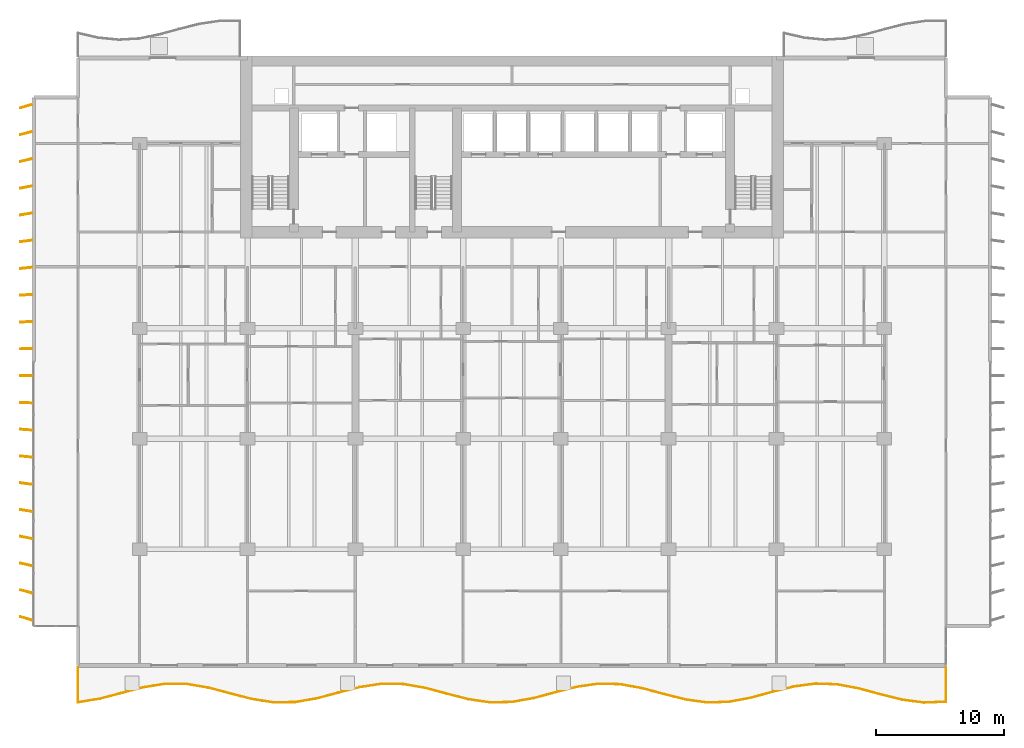
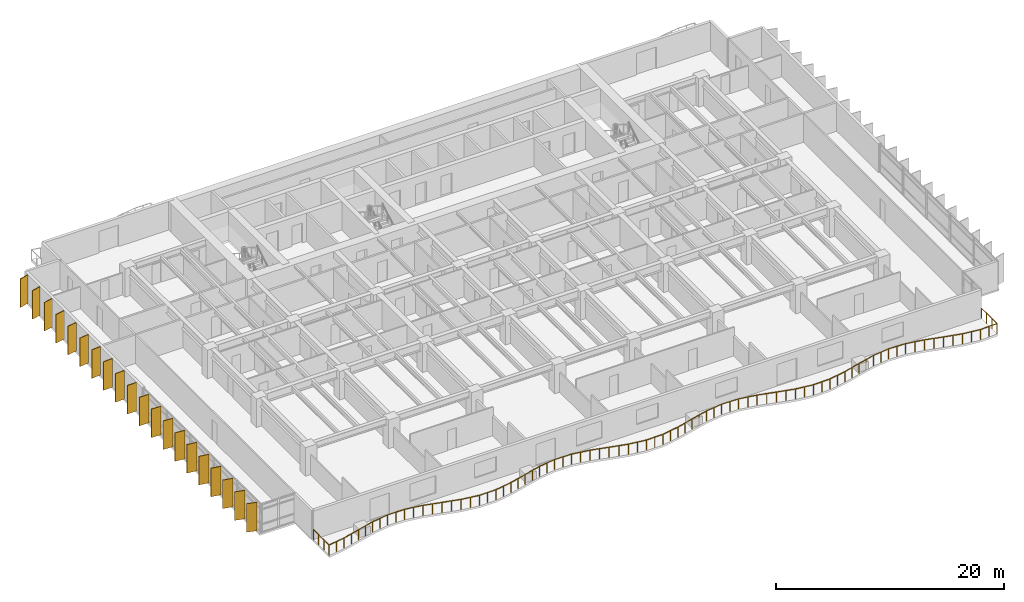
# One storey, part 13 of 16: 20 shading devices, 1 railing.
"""IFC4 building model written with IfcOpenShell, lengths in metres."""

from ifc_helpers import new_model, si_unit, direction, frame, origin, origin_2d, place, context, subcontext, project, spatial, rectangle, circle, extrude, material, material_profile, profile_set, type_object, element, save


model = new_model("IFC4")

# Units and contexts
model_context = context("Model", 3, precision=1e-05, world=origin(), true_north=direction((0.0, 1.0)))
body_context = subcontext(model_context, "Body", "Model", "MODEL_VIEW")
ifc_project = project(units=[si_unit("LENGTHUNIT", "METRE"), si_unit("AREAUNIT", "SQUARE_METRE"), si_unit("VOLUMEUNIT", "CUBIC_METRE"), si_unit("PLANEANGLEUNIT", "RADIAN"), si_unit("MASSUNIT", "GRAM", prefix="KILO")], contexts=[model_context])

# Site, building, storey
site_placement = place(None, origin())
site = spatial("IfcSite", under=ifc_project, at=site_placement, CompositionType="ELEMENT")
building_placement = place(site_placement, origin())
building = spatial("IfcBuilding", under=site, at=building_placement, Name="Caelmar Bay Residences", CompositionType="ELEMENT")
storey_placement = place(building_placement, frame((0.0, 0.0, 72.89990234375)))
storey = spatial("IfcBuildingStorey", under=building, at=storey_placement, Name="L19", CompositionType="ELEMENT", Elevation=72.89990234375)

# Railing
ifc_material_1 = material(Name="Anodised bronze handrail with laminated hurricane glass infill", Category="glass")
railing_type = type_object("IfcRailingType", Name="RL-BAL-1100", PredefinedType="BALUSTRADE", material=ifc_material_1)
railing_placement = place(storey_placement, frame((5.10009765625, 3.0, 0.0)))
element("IfcRailing", 1, at=railing_placement, inside=storey, type_object=railing_type, Name="L19 south Balcony Balustrade", PredefinedType="BALUSTRADE", context=body_context, shape_type="SweptSolid", body=[
    extrude(circle(Radius=0.02392578125, at=origin_2d()), frame((0.0, 0.0, 1.076171875), z_axis=(0.0, -1.0, 0.0), x_axis=(1.0, 0.0, 0.0)), (0.0, 0.0, 1.0), 2.7333984375),
    extrude(circle(Radius=0.02392578125, at=origin_2d()), frame((0.0, -2.7333984375, 1.076171875), z_axis=(0.987026195293, 0.160559303077, 0.0), x_axis=(-0.160559303077, 0.987026195293, 0.0)), (0.0, 0.0, 1.0), 1.712158203125),
    extrude(circle(Radius=0.02392578125, at=origin_2d()), frame((1.68994140625, -2.45849609375, 1.076171875), z_axis=(0.967163162883, 0.254156283341, 0.0), x_axis=(-0.254156283341, 0.967163162883, 0.0)), (0.0, 0.0, 1.0), 1.747314453125),
    extrude(circle(Radius=0.02392578125, at=origin_2d()), frame((3.3798828125, -2.014404296875, 1.076171875), z_axis=(0.967471654439, 0.252979441568, 0.0), x_axis=(-0.252979441568, 0.967471654439, 0.0)), (0.0, 0.0, 1.0), 1.746826171875),
    extrude(circle(Radius=0.02392578125, at=origin_2d()), frame((5.06982421875, -1.572509765625, 1.076171875), z_axis=(0.987544565194, 0.157339542887, 0.0), x_axis=(-0.157339542887, 0.987544565194, 0.0)), (0.0, 0.0, 1.0), 1.71142578125),
    extrude(circle(Radius=0.02392578125, at=origin_2d()), frame((6.760009765625, -1.30322265625, 1.076171875), z_axis=(0.999988636103, -0.004767354087, 0.0), x_axis=(0.004767354087, 0.999988636103, 0.0)), (0.0, 0.0, 1.0), 1.68994140625),
    extrude(circle(Radius=0.02392578125, at=origin_2d()), frame((8.449951171875, -1.311279296875, 1.076171875), z_axis=(0.986386220037, -0.164445203398, 0.0), x_axis=(0.164445203398, 0.986386220037, 0.0)), (0.0, 0.0, 1.0), 1.71337890625),
    extrude(circle(Radius=0.02392578125, at=origin_2d()), frame((10.139892578125, -1.593017578125, 1.076171875), z_axis=(0.966818948521, -0.255462562387, 0.0), x_axis=(0.255462562387, 0.966818948521, 0.0)), (0.0, 0.0, 1.0), 1.748046875),
    extrude(circle(Radius=0.02392578125, at=origin_2d()), frame((11.829833984375, -2.03955078125, 1.076171875), z_axis=(0.967855864516, -0.251505517877, 0.0), x_axis=(0.251505517877, 0.967855864516, 0.0)), (0.0, 0.0, 1.0), 1.746337890625),
    extrude(circle(Radius=0.02392578125, at=origin_2d()), frame((13.52001953125, -2.478759765625, 1.076171875), z_axis=(0.988197761008, -0.153183501526, 0.0), x_axis=(0.153183501526, 0.988197761008, 0.0)), (0.0, 0.0, 1.0), 1.710205078125),
    extrude(circle(Radius=0.02392578125, at=origin_2d()), frame((15.2099609375, -2.74072265625, 1.076171875), z_axis=(0.999951750457, 0.00982327637, 0.0), x_axis=(-0.00982327637, 0.999951750457, 0.0)), (0.0, 0.0, 1.0), 1.68994140625),
    extrude(circle(Radius=0.02392578125, at=origin_2d()), frame((16.89990234375, -2.72412109375, 1.076171875), z_axis=(0.985731815478, 0.168323462279, 0.0), x_axis=(-0.168323462279, 0.985731815478, 0.0)), (0.0, 0.0, 1.0), 1.71435546875),
    extrude(circle(Radius=0.02392578125, at=origin_2d()), frame((18.58984375, -2.435546875, 1.076171875), z_axis=(0.966438560958, 0.256897854979, 0.0), x_axis=(-0.256897854979, 0.966438560958, 0.0)), (0.0, 0.0, 1.0), 1.74853515625),
    extrude(circle(Radius=0.02392578125, at=origin_2d()), frame((20.27978515625, -1.986328125, 1.076171875), z_axis=(0.968296970277, 0.249801876197, 0.0), x_axis=(-0.249801876197, 0.968296970277, 0.0)), (0.0, 0.0, 1.0), 1.74560546875),
    extrude(circle(Radius=0.02392578125, at=origin_2d()), frame((21.969970703125, -1.55029296875, 1.076171875), z_axis=(0.988837638732, 0.148997061138, 0.0), x_axis=(-0.148997061138, 0.988837638732, 0.0)), (0.0, 0.0, 1.0), 1.708984375),
    extrude(circle(Radius=0.02392578125, at=origin_2d()), frame((23.659912109375, -1.295654296875, 1.076171875), z_axis=(0.999889309805, -0.014878445378, 0.0), x_axis=(0.014878445378, 0.999889309805, 0.0)), (0.0, 0.0, 1.0), 1.690185546875),
    extrude(circle(Radius=0.02392578125, at=origin_2d()), frame((25.349853515625, -1.32080078125, 1.076171875), z_axis=(0.985063070992, -0.17219392024, 0.0), x_axis=(0.17219392024, 0.985063070992, 0.0)), (0.0, 0.0, 1.0), 1.715576171875),
    extrude(circle(Radius=0.02392578125, at=origin_2d()), frame((27.039794921875, -1.6162109375, 1.076171875), z_axis=(0.966135268407, -0.258036127587, 0.0), x_axis=(0.258036127587, 0.966135268407, 0.0)), (0.0, 0.0, 1.0), 1.74951171875),
    extrude(circle(Radius=0.02392578125, at=origin_2d()), frame((28.72998046875, -2.067626953125, 1.076171875), z_axis=(0.968693212149, -0.248260872342, 0.0), x_axis=(0.248260872342, 0.968693212149, 0.0)), (0.0, 0.0, 1.0), 1.74462890625),
    extrude(circle(Radius=0.02392578125, at=origin_2d()), frame((30.419921875, -2.500732421875, 1.076171875), z_axis=(0.989481035696, -0.144662642029, 0.0), x_axis=(0.144662642029, 0.989481035696, 0.0)), (0.0, 0.0, 1.0), 1.7080078125),
    extrude(circle(Radius=0.02392578125, at=origin_2d()), frame((32.10986328125, -2.747802734375, 1.076171875), z_axis=(0.99980132851, 0.019932473755, 0.0), x_axis=(-0.019932473755, 0.99980132851, 0.0)), (0.0, 0.0, 1.0), 1.690185546875),
    extrude(circle(Radius=0.02392578125, at=origin_2d()), frame((33.7998046875, -2.714111328125, 1.076171875), z_axis=(0.984384484589, 0.176031776964, 0.0), x_axis=(-0.176031776964, 0.984384484589, 0.0)), (0.0, 0.0, 1.0), 1.717041015625),
    extrude(circle(Radius=0.02392578125, at=origin_2d()), frame((35.489990234375, -2.411865234375, 1.076171875), z_axis=(0.965847095879, 0.259112692437, 0.0), x_axis=(-0.259112692437, 0.965847095879, 0.0)), (0.0, 0.0, 1.0), 1.749755859375),
    extrude(circle(Radius=0.02392578125, at=origin_2d()), frame((37.179931640625, -1.95849609375, 1.076171875), z_axis=(0.969162863866, 0.246421069114, 0.0), x_axis=(-0.246421069114, 0.969162863866, 0.0)), (0.0, 0.0, 1.0), 1.74365234375),
    extrude(circle(Radius=0.02392578125, at=origin_2d()), frame((38.869873046875, -1.52880859375, 1.076171875), z_axis=(0.990066439331, 0.140600304805, 0.0), x_axis=(-0.140600304805, 0.990066439331, 0.0)), (0.0, 0.0, 1.0), 1.706787109375),
    extrude(circle(Radius=0.02392578125, at=origin_2d()), frame((40.559814453125, -1.288818359375, 1.076171875), z_axis=(0.999680662905, -0.025269986423, 0.0), x_axis=(0.025269986423, 0.999680662905, 0.0)), (0.0, 0.0, 1.0), 1.690673828125),
    extrude(circle(Radius=0.02392578125, at=origin_2d()), frame((42.25, -1.33154296875, 1.076171875), z_axis=(0.983733191726, -0.179635763413, 0.0), x_axis=(0.179635763413, 0.983733191726, 0.0)), (0.0, 0.0, 1.0), 1.7177734375),
    extrude(circle(Radius=0.02392578125, at=origin_2d()), frame((43.93994140625, -1.64013671875, 1.076171875), z_axis=(0.965532208633, -0.260283603194, 0.0), x_axis=(0.260283603194, 0.965532208633, 0.0)), (0.0, 0.0, 1.0), 1.750244140625),
    extrude(circle(Radius=0.02392578125, at=origin_2d()), frame((45.6298828125, -2.095703125, 1.076171875), z_axis=(0.969662682279, -0.244446891155, 0.0), x_axis=(0.244446891155, 0.969662682279, 0.0)), (0.0, 0.0, 1.0), 1.742919921875),
    extrude(circle(Radius=0.02392578125, at=origin_2d()), frame((47.31982421875, -2.521728515625, 1.076171875), z_axis=(0.990677150051, -0.13623062933, 0.0), x_axis=(0.13623062933, 0.990677150051, 0.0)), (0.0, 0.0, 1.0), 1.7060546875),
    extrude(circle(Radius=0.02392578125, at=origin_2d()), frame((49.010009765625, -2.754150390625, 1.076171875), z_axis=(0.999540118713, 0.030324100683, 0.0), x_axis=(-0.030324100683, 0.999540118713, 0.0)), (0.0, 0.0, 1.0), 1.690673828125),
    extrude(circle(Radius=0.02392578125, at=origin_2d()), frame((50.699951171875, -2.702880859375, 1.076171875), z_axis=(0.983048586958, 0.183345236314, 0.0), x_axis=(-0.183345236314, 0.983048586958, 0.0)), (0.0, 0.0, 1.0), 1.718994140625),
    extrude(circle(Radius=0.02392578125, at=origin_2d()), frame((52.389892578125, -2.3876953125, 1.076171875), z_axis=(0.965286457921, 0.261193518591, 0.0), x_axis=(-0.261193518591, 0.965286457921, 0.0)), (0.0, 0.0, 1.0), 1.750732421875),
    extrude(circle(Radius=0.02392578125, at=origin_2d()), frame((54.079833984375, -1.930419921875, 1.076171875), z_axis=(0.970134256523, 0.242568597146, 0.0), x_axis=(-0.242568597146, 0.970134256523, 0.0)), (0.0, 0.0, 1.0), 1.7421875),
    extrude(circle(Radius=0.02392578125, at=origin_2d()), frame((55.77001953125, -1.5078125, 1.076171875), z_axis=(0.991282846485, 0.131750970639, 0.0), x_axis=(-0.131750970639, 0.991282846485, 0.0)), (0.0, 0.0, 1.0), 1.704833984375),
    extrude(circle(Radius=0.02392578125, at=origin_2d()), frame((57.4599609375, -1.283203125, 1.076171875), z_axis=(0.99937420633, -0.035372245095, 0.0), x_axis=(0.035372245095, 0.99937420633, 0.0)), (0.0, 0.0, 1.0), 1.69091796875),
    extrude(circle(Radius=0.02392578125, at=origin_2d()), frame((59.14990234375, -1.343017578125, 1.076171875), z_axis=(0.98237705372, -0.186909936398, 0.0), x_axis=(0.186909936398, 0.98237705372, 0.0)), (0.0, 0.0, 1.0), 1.72021484375),
    extrude(circle(Radius=0.02392578125, at=origin_2d()), frame((60.83984375, -1.66455078125, 1.076171875), z_axis=(0.965039975648, -0.262102738257, 0.0), x_axis=(0.262102738257, 0.965039975648, 0.0)), (0.0, 0.0, 1.0), 1.751220703125),
    extrude(circle(Radius=0.02392578125, at=origin_2d()), frame((62.52978515625, -2.12353515625, 1.076171875), z_axis=(0.970659868136, -0.240456691298, 0.0), x_axis=(0.240456691298, 0.970659868136, 0.0)), (0.0, 0.0, 1.0), 1.7412109375),
    extrude(circle(Radius=0.02392578125, at=origin_2d()), frame((64.219970703125, -2.542236328125, 1.076171875), z_axis=(0.991835257497, -0.127525769889, 0.0), x_axis=(0.127525769889, 0.991835257497, 0.0)), (0.0, 0.0, 1.0), 1.703857421875),
    extrude(circle(Radius=0.02392578125, at=origin_2d()), frame((65.909912109375, -2.759521484375, 1.076171875), z_axis=(0.999177031749, 0.040561795135, 0.0), x_axis=(-0.040561795135, 0.999177031749, 0.0)), (0.0, 0.0, 1.0), 1.69140625),
    extrude(circle(Radius=0.02392578125, at=origin_2d()), frame((67.599853515625, -2.69091796875, 1.076171875), z_axis=(0.0, 1.0, 0.0), x_axis=(-1.0, 0.0, 0.0)), (0.0, 0.0, 1.0), 2.69091796875),
    extrude(circle(Radius=0.02099609375, at=origin_2d()), origin(), (0.0, 0.0, 1.0), 1.052001953125),
    extrude(circle(Radius=0.02099609375, at=origin_2d()), frame((0.0, -0.9111328125, 0.0)), (0.0, 0.0, 1.0), 1.052001953125),
    extrude(circle(Radius=0.02099609375, at=origin_2d()), frame((0.0, -1.822265625, 0.0)), (0.0, 0.0, 1.0), 1.052001953125),
    extrude(circle(Radius=0.02099609375, at=origin_2d()), frame((0.0, -2.7333984375, 0.0)), (0.0, 0.0, 1.0), 1.052001953125),
    extrude(circle(Radius=0.02099609375, at=origin_2d()), frame((0.844970703125, -2.595947265625, 0.0)), (0.0, 0.0, 1.0), 1.052001953125),
    extrude(circle(Radius=0.02099609375, at=origin_2d()), frame((1.68994140625, -2.45849609375, 0.0)), (0.0, 0.0, 1.0), 1.052001953125),
    extrude(circle(Radius=0.02099609375, at=origin_2d()), frame((2.534912109375, -2.236328125, 0.0)), (0.0, 0.0, 1.0), 1.052001953125),
    extrude(circle(Radius=0.02099609375, at=origin_2d()), frame((3.3798828125, -2.014404296875, 0.0)), (0.0, 0.0, 1.0), 1.052001953125),
    extrude(circle(Radius=0.02099609375, at=origin_2d()), frame((4.224853515625, -1.79345703125, 0.0)), (0.0, 0.0, 1.0), 1.052001953125),
    extrude(circle(Radius=0.02099609375, at=origin_2d()), frame((5.06982421875, -1.572509765625, 0.0)), (0.0, 0.0, 1.0), 1.052001953125),
    extrude(circle(Radius=0.02099609375, at=origin_2d()), frame((5.9150390625, -1.43798828125, 0.0)), (0.0, 0.0, 1.0), 1.052001953125),
    extrude(circle(Radius=0.02099609375, at=origin_2d()), frame((6.760009765625, -1.30322265625, 0.0)), (0.0, 0.0, 1.0), 1.052001953125),
    extrude(circle(Radius=0.02099609375, at=origin_2d()), frame((7.60498046875, -1.30712890625, 0.0)), (0.0, 0.0, 1.0), 1.052001953125),
    extrude(circle(Radius=0.02099609375, at=origin_2d()), frame((8.449951171875, -1.311279296875, 0.0)), (0.0, 0.0, 1.0), 1.052001953125),
    extrude(circle(Radius=0.02099609375, at=origin_2d()), frame((9.294921875, -1.4521484375, 0.0)), (0.0, 0.0, 1.0), 1.052001953125),
    extrude(circle(Radius=0.02099609375, at=origin_2d()), frame((10.139892578125, -1.593017578125, 0.0)), (0.0, 0.0, 1.0), 1.052001953125),
    extrude(circle(Radius=0.02099609375, at=origin_2d()), frame((10.98486328125, -1.81640625, 0.0)), (0.0, 0.0, 1.0), 1.052001953125),
    extrude(circle(Radius=0.02099609375, at=origin_2d()), frame((11.829833984375, -2.03955078125, 0.0)), (0.0, 0.0, 1.0), 1.052001953125),
    extrude(circle(Radius=0.02099609375, at=origin_2d()), frame((12.6748046875, -2.25927734375, 0.0)), (0.0, 0.0, 1.0), 1.052001953125),
    extrude(circle(Radius=0.02099609375, at=origin_2d()), frame((13.52001953125, -2.478759765625, 0.0)), (0.0, 0.0, 1.0), 1.052001953125),
    extrude(circle(Radius=0.02099609375, at=origin_2d()), frame((14.364990234375, -2.60986328125, 0.0)), (0.0, 0.0, 1.0), 1.052001953125),
    extrude(circle(Radius=0.02099609375, at=origin_2d()), frame((15.2099609375, -2.74072265625, 0.0)), (0.0, 0.0, 1.0), 1.052001953125),
    extrude(circle(Radius=0.02099609375, at=origin_2d()), frame((16.054931640625, -2.732421875, 0.0)), (0.0, 0.0, 1.0), 1.052001953125),
    extrude(circle(Radius=0.02099609375, at=origin_2d()), frame((16.89990234375, -2.72412109375, 0.0)), (0.0, 0.0, 1.0), 1.052001953125),
    extrude(circle(Radius=0.02099609375, at=origin_2d()), frame((17.744873046875, -2.579833984375, 0.0)), (0.0, 0.0, 1.0), 1.052001953125),
    extrude(circle(Radius=0.02099609375, at=origin_2d()), frame((18.58984375, -2.435546875, 0.0)), (0.0, 0.0, 1.0), 1.052001953125),
    extrude(circle(Radius=0.02099609375, at=origin_2d()), frame((19.434814453125, -2.2109375, 0.0)), (0.0, 0.0, 1.0), 1.052001953125),
    extrude(circle(Radius=0.02099609375, at=origin_2d()), frame((20.27978515625, -1.986328125, 0.0)), (0.0, 0.0, 1.0), 1.052001953125),
    extrude(circle(Radius=0.02099609375, at=origin_2d()), frame((21.125, -1.768310546875, 0.0)), (0.0, 0.0, 1.0), 1.052001953125),
    extrude(circle(Radius=0.02099609375, at=origin_2d()), frame((21.969970703125, -1.55029296875, 0.0)), (0.0, 0.0, 1.0), 1.052001953125),
    extrude(circle(Radius=0.02099609375, at=origin_2d()), frame((22.81494140625, -1.4228515625, 0.0)), (0.0, 0.0, 1.0), 1.052001953125),
    extrude(circle(Radius=0.02099609375, at=origin_2d()), frame((23.659912109375, -1.295654296875, 0.0)), (0.0, 0.0, 1.0), 1.052001953125),
    extrude(circle(Radius=0.02099609375, at=origin_2d()), frame((24.5048828125, -1.30810546875, 0.0)), (0.0, 0.0, 1.0), 1.052001953125),
    extrude(circle(Radius=0.02099609375, at=origin_2d()), frame((25.349853515625, -1.32080078125, 0.0)), (0.0, 0.0, 1.0), 1.052001953125),
    extrude(circle(Radius=0.02099609375, at=origin_2d()), frame((26.19482421875, -1.468505859375, 0.0)), (0.0, 0.0, 1.0), 1.052001953125),
    extrude(circle(Radius=0.02099609375, at=origin_2d()), frame((27.039794921875, -1.6162109375, 0.0)), (0.0, 0.0, 1.0), 1.052001953125),
    extrude(circle(Radius=0.02099609375, at=origin_2d()), frame((27.884765625, -1.841796875, 0.0)), (0.0, 0.0, 1.0), 1.052001953125),
    extrude(circle(Radius=0.02099609375, at=origin_2d()), frame((28.72998046875, -2.067626953125, 0.0)), (0.0, 0.0, 1.0), 1.052001953125),
    extrude(circle(Radius=0.02099609375, at=origin_2d()), frame((29.574951171875, -2.2841796875, 0.0)), (0.0, 0.0, 1.0), 1.052001953125),
    extrude(circle(Radius=0.02099609375, at=origin_2d()), frame((30.419921875, -2.500732421875, 0.0)), (0.0, 0.0, 1.0), 1.052001953125),
    extrude(circle(Radius=0.02099609375, at=origin_2d()), frame((31.264892578125, -2.624267578125, 0.0)), (0.0, 0.0, 1.0), 1.052001953125),
    extrude(circle(Radius=0.02099609375, at=origin_2d()), frame((32.10986328125, -2.747802734375, 0.0)), (0.0, 0.0, 1.0), 1.052001953125),
    extrude(circle(Radius=0.02099609375, at=origin_2d()), frame((32.954833984375, -2.73095703125, 0.0)), (0.0, 0.0, 1.0), 1.052001953125),
    extrude(circle(Radius=0.02099609375, at=origin_2d()), frame((33.7998046875, -2.714111328125, 0.0)), (0.0, 0.0, 1.0), 1.052001953125),
    extrude(circle(Radius=0.02099609375, at=origin_2d()), frame((34.64501953125, -2.56298828125, 0.0)), (0.0, 0.0, 1.0), 1.052001953125),
    extrude(circle(Radius=0.02099609375, at=origin_2d()), frame((35.489990234375, -2.411865234375, 0.0)), (0.0, 0.0, 1.0), 1.052001953125),
    extrude(circle(Radius=0.02099609375, at=origin_2d()), frame((36.3349609375, -2.18505859375, 0.0)), (0.0, 0.0, 1.0), 1.052001953125),
    extrude(circle(Radius=0.02099609375, at=origin_2d()), frame((37.179931640625, -1.95849609375, 0.0)), (0.0, 0.0, 1.0), 1.052001953125),
    extrude(circle(Radius=0.02099609375, at=origin_2d()), frame((38.02490234375, -1.74365234375, 0.0)), (0.0, 0.0, 1.0), 1.052001953125),
    extrude(circle(Radius=0.02099609375, at=origin_2d()), frame((38.869873046875, -1.52880859375, 0.0)), (0.0, 0.0, 1.0), 1.052001953125),
    extrude(circle(Radius=0.02099609375, at=origin_2d()), frame((39.71484375, -1.40869140625, 0.0)), (0.0, 0.0, 1.0), 1.052001953125),
    extrude(circle(Radius=0.02099609375, at=origin_2d()), frame((40.559814453125, -1.288818359375, 0.0)), (0.0, 0.0, 1.0), 1.052001953125),
    extrude(circle(Radius=0.02099609375, at=origin_2d()), frame((41.40478515625, -1.31005859375, 0.0)), (0.0, 0.0, 1.0), 1.052001953125),
    extrude(circle(Radius=0.02099609375, at=origin_2d()), frame((42.25, -1.33154296875, 0.0)), (0.0, 0.0, 1.0), 1.052001953125),
    extrude(circle(Radius=0.02099609375, at=origin_2d()), frame((43.094970703125, -1.48583984375, 0.0)), (0.0, 0.0, 1.0), 1.052001953125),
    extrude(circle(Radius=0.02099609375, at=origin_2d()), frame((43.93994140625, -1.64013671875, 0.0)), (0.0, 0.0, 1.0), 1.052001953125),
    extrude(circle(Radius=0.02099609375, at=origin_2d()), frame((44.784912109375, -1.867919921875, 0.0)), (0.0, 0.0, 1.0), 1.052001953125),
    extrude(circle(Radius=0.02099609375, at=origin_2d()), frame((45.6298828125, -2.095703125, 0.0)), (0.0, 0.0, 1.0), 1.052001953125),
    extrude(circle(Radius=0.02099609375, at=origin_2d()), frame((46.474853515625, -2.30859375, 0.0)), (0.0, 0.0, 1.0), 1.052001953125),
    extrude(circle(Radius=0.02099609375, at=origin_2d()), frame((47.31982421875, -2.521728515625, 0.0)), (0.0, 0.0, 1.0), 1.052001953125),
    extrude(circle(Radius=0.02099609375, at=origin_2d()), frame((48.1650390625, -2.637939453125, 0.0)), (0.0, 0.0, 1.0), 1.052001953125),
    extrude(circle(Radius=0.02099609375, at=origin_2d()), frame((49.010009765625, -2.754150390625, 0.0)), (0.0, 0.0, 1.0), 1.052001953125),
    extrude(circle(Radius=0.02099609375, at=origin_2d()), frame((49.85498046875, -2.728515625, 0.0)), (0.0, 0.0, 1.0), 1.052001953125),
    extrude(circle(Radius=0.02099609375, at=origin_2d()), frame((50.699951171875, -2.702880859375, 0.0)), (0.0, 0.0, 1.0), 1.052001953125),
    extrude(circle(Radius=0.02099609375, at=origin_2d()), frame((51.544921875, -2.54541015625, 0.0)), (0.0, 0.0, 1.0), 1.052001953125),
    extrude(circle(Radius=0.02099609375, at=origin_2d()), frame((52.389892578125, -2.3876953125, 0.0)), (0.0, 0.0, 1.0), 1.052001953125),
    extrude(circle(Radius=0.02099609375, at=origin_2d()), frame((53.23486328125, -2.1591796875, 0.0)), (0.0, 0.0, 1.0), 1.052001953125),
    extrude(circle(Radius=0.02099609375, at=origin_2d()), frame((54.079833984375, -1.930419921875, 0.0)), (0.0, 0.0, 1.0), 1.052001953125),
    extrude(circle(Radius=0.02099609375, at=origin_2d()), frame((54.9248046875, -1.71923828125, 0.0)), (0.0, 0.0, 1.0), 1.052001953125),
    extrude(circle(Radius=0.02099609375, at=origin_2d()), frame((55.77001953125, -1.5078125, 0.0)), (0.0, 0.0, 1.0), 1.052001953125),
    extrude(circle(Radius=0.02099609375, at=origin_2d()), frame((56.614990234375, -1.3955078125, 0.0)), (0.0, 0.0, 1.0), 1.052001953125),
    extrude(circle(Radius=0.02099609375, at=origin_2d()), frame((57.4599609375, -1.283203125, 0.0)), (0.0, 0.0, 1.0), 1.052001953125),
    extrude(circle(Radius=0.02099609375, at=origin_2d()), frame((58.304931640625, -1.31298828125, 0.0)), (0.0, 0.0, 1.0), 1.052001953125),
    extrude(circle(Radius=0.02099609375, at=origin_2d()), frame((59.14990234375, -1.343017578125, 0.0)), (0.0, 0.0, 1.0), 1.052001953125),
    extrude(circle(Radius=0.02099609375, at=origin_2d()), frame((59.994873046875, -1.50390625, 0.0)), (0.0, 0.0, 1.0), 1.052001953125),
    extrude(circle(Radius=0.02099609375, at=origin_2d()), frame((60.83984375, -1.66455078125, 0.0)), (0.0, 0.0, 1.0), 1.052001953125),
    extrude(circle(Radius=0.02099609375, at=origin_2d()), frame((61.684814453125, -1.89404296875, 0.0)), (0.0, 0.0, 1.0), 1.052001953125),
    extrude(circle(Radius=0.02099609375, at=origin_2d()), frame((62.52978515625, -2.12353515625, 0.0)), (0.0, 0.0, 1.0), 1.052001953125),
    extrude(circle(Radius=0.02099609375, at=origin_2d()), frame((63.375, -2.3330078125, 0.0)), (0.0, 0.0, 1.0), 1.052001953125),
    extrude(circle(Radius=0.02099609375, at=origin_2d()), frame((64.219970703125, -2.542236328125, 0.0)), (0.0, 0.0, 1.0), 1.052001953125),
    extrude(circle(Radius=0.02099609375, at=origin_2d()), frame((65.06494140625, -2.65087890625, 0.0)), (0.0, 0.0, 1.0), 1.052001953125),
    extrude(circle(Radius=0.02099609375, at=origin_2d()), frame((65.909912109375, -2.759521484375, 0.0)), (0.0, 0.0, 1.0), 1.052001953125),
    extrude(circle(Radius=0.02099609375, at=origin_2d()), frame((66.7548828125, -2.72509765625, 0.0)), (0.0, 0.0, 1.0), 1.052001953125),
    extrude(circle(Radius=0.02099609375, at=origin_2d()), frame((67.599853515625, -2.69091796875, 0.0)), (0.0, 0.0, 1.0), 1.052001953125),
    extrude(circle(Radius=0.02099609375, at=origin_2d()), frame((67.599853515625, -1.7939453125, 0.0)), (0.0, 0.0, 1.0), 1.052001953125),
    extrude(circle(Radius=0.02099609375, at=origin_2d()), frame((67.599853515625, -0.89697265625, 0.0)), (0.0, 0.0, 1.0), 1.052001953125),
    extrude(circle(Radius=0.02099609375, at=origin_2d()), frame((67.599853515625, 0.0, 0.0)), (0.0, 0.0, 1.0), 1.052001953125),
])

# Shading devices
ifc_material_2 = material(Name="Anodised architectural bronze aluminium 6063-T6", Category="aluminium")
ifc_material_profile = material_profile(ifc_material_2, rectangle(XDim=0.074951171875, YDim=0.949951171875, at=origin_2d()), Name="BRONZE-FIN-75X950")
ifc_profile_set = profile_set([ifc_material_profile], Name="Anodised architectural bronze aluminium 6063-T6")
shading_device_type = type_object("IfcShadingDeviceType", Name="SHD-FIN-950", PredefinedType="USERDEFINED", material=ifc_profile_set)
for number, where, z_axis, x_axis, name in (
    (2, (1.050048828125, 6.800048828125, 0.0), (0.0, 0.0, 1.0), (0.275637355817, 0.961261695938, 0.0), "L19 West Bronze Solar Fin 1"),
    (3, (1.050048828125, 8.89990234375, 0.0), (0.0, 0.0, 1.0), (0.247337247968, 0.968929453452, 0.0), "L19 West Bronze Solar Fin 2"),
    (4, (1.050048828125, 11.0, 0.0), (0.0, 0.0, 1.0), (0.218654200292, 0.975802408633, 0.0), "L19 West Bronze Solar Fin 3"),
    (5, (1.050048828125, 13.10009765625, 0.0), (0.0, 0.0, 1.0), (0.189952291512, 0.981793321911, 0.0), "L19 West Bronze Solar Fin 4"),
    (6, (1.050048828125, 15.199951171875, 0.0), (0.0, 0.0, 1.0), (0.160914826518, 0.986968296657, 0.0), "L19 West Bronze Solar Fin 5"),
    (7, (1.050048828125, 17.300048828125, 0.0), (0.0, 0.0, 1.0), (0.131910382711, 0.991261646052, 0.0), "L19 West Bronze Solar Fin 6"),
    (8, (1.050048828125, 19.39990234375, 0.0), (0.0, 0.0, 1.0), (0.10261892683, 0.994720742649, 0.0), "L19 West Bronze Solar Fin 7"),
    (9, (1.050048828125, 21.5, 0.0), (0.0, 0.0, 1.0), (0.073412260224, 0.997301679558, 0.0), "L19 West Bronze Solar Fin 8"),
    (10, (1.050048828125, 23.60009765625, 0.0), (0.0, 0.0, 1.0), (0.044142481788, 0.999025245578, 0.0), "L19 West Bronze Solar Fin 9"),
    (11, (1.050048828125, 25.699951171875, 0.0), (0.0, 0.0, 1.0), (0.01466024053, 0.999892532899, 0.0), "L19 West Bronze Solar Fin 10"),
    (12, (1.050048828125, 27.800048828125, 0.0), (0.0, 0.0, 1.0), (-0.01466024053, 0.999892532899, 0.0), "L19 West Bronze Solar Fin 11"),
    (13, (1.050048828125, 29.89990234375, 0.0), (0.0, 0.0, 1.0), (-0.044142481788, 0.999025245578, 0.0), "L19 West Bronze Solar Fin 12"),
    (14, (1.050048828125, 32.0, 0.0), (0.0, 0.0, 1.0), (-0.073412260224, 0.997301679558, 0.0), "L19 West Bronze Solar Fin 13"),
    (15, (1.050048828125, 34.10009765625, 0.0), (0.0, 0.0, 1.0), (-0.10261892683, 0.994720742649, 0.0), "L19 West Bronze Solar Fin 14"),
    (16, (1.050048828125, 36.199951171875, 0.0), (0.0, 0.0, 1.0), (-0.131910382711, 0.991261646052, 0.0), "L19 West Bronze Solar Fin 15"),
    (17, (1.050048828125, 38.300048828125, 0.0), (0.0, 0.0, 1.0), (-0.160914826518, 0.986968296657, 0.0), "L19 West Bronze Solar Fin 16"),
    (18, (1.050048828125, 40.39990234375, 0.0), (0.0, 0.0, 1.0), (-0.189952291512, 0.981793321911, 0.0), "L19 West Bronze Solar Fin 17"),
    (19, (1.050048828125, 42.5, 0.0), (0.0, 0.0, 1.0), (-0.218654200292, 0.975802408633, 0.0), "L19 West Bronze Solar Fin 18"),
    (20, (1.050048828125, 44.60009765625, 0.0), (0.0, 0.0, 1.0), (-0.247337247968, 0.968929453452, 0.0), "L19 West Bronze Solar Fin 19"),
    (21, (1.050048828125, 46.699951171875, 0.0), (0.0, 0.0, 1.0), (-0.275637355817, 0.961261695938, 0.0), "L19 West Bronze Solar Fin 20"),
):
    element("IfcShadingDevice", number, at=place(storey_placement, frame(where, z_axis=z_axis, x_axis=x_axis)), inside=storey, type_object=shading_device_type, Name=name, ObjectType="FIN", PredefinedType="USERDEFINED", context=body_context, shape_type="SweptSolid", body=[
        extrude(rectangle(XDim=0.074951171875, YDim=0.949951171875, at=origin_2d()), origin(), (0.0, 0.0, 1.0), 3.050048828125),
    ])

save(model, "model.ifc")
